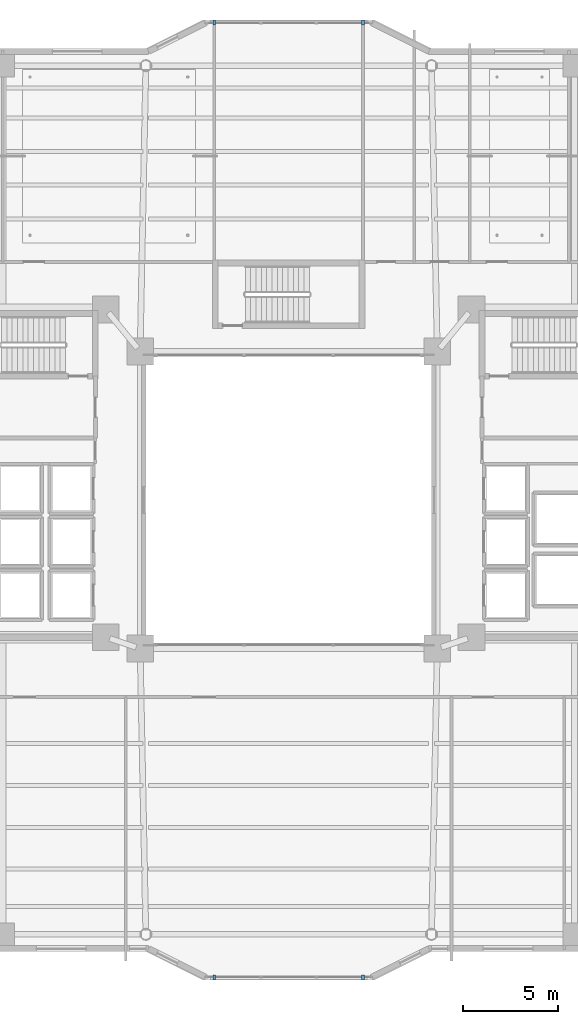
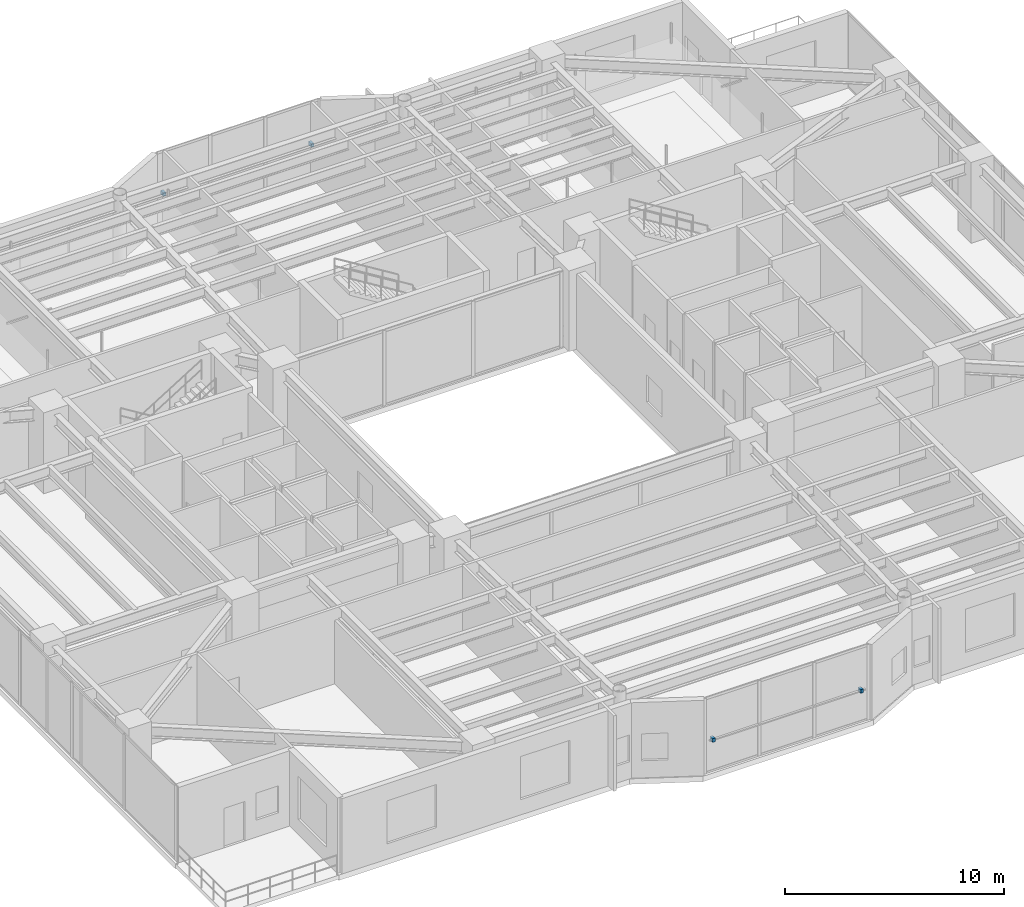
# One storey, part 36 of 39: 4 discrete accessories.
"""IFC4 building model written with IfcOpenShell, lengths in metres."""

from ifc_helpers import new_model, si_unit, direction, frame, origin, origin_2d, place, context, subcontext, project, spatial, rectangle, extrude, material, type_object, element, save


model = new_model("IFC4")

# Units and contexts
model_context = context("Model", 3, precision=1e-05, world=origin(), true_north=direction((0.0, 1.0)))
body_context = subcontext(model_context, "Body", "Model", "MODEL_VIEW")
ifc_project = project(units=[si_unit("LENGTHUNIT", "METRE"), si_unit("AREAUNIT", "SQUARE_METRE"), si_unit("VOLUMEUNIT", "CUBIC_METRE"), si_unit("PLANEANGLEUNIT", "RADIAN"), si_unit("MASSUNIT", "GRAM", prefix="KILO")], contexts=[model_context])

# Site, building, storey
site_placement = place(None, origin())
site = spatial("IfcSite", under=ifc_project, at=site_placement, CompositionType="ELEMENT")
building_placement = place(site_placement, origin())
building = spatial("IfcBuilding", under=site, at=building_placement, Name="Tarnavaz Court Tower", CompositionType="ELEMENT")
storey_placement = place(building_placement, frame((0.0, 0.0, 68.699951171875)))
storey = spatial("IfcBuildingStorey", under=building, at=storey_placement, Name="L18", CompositionType="ELEMENT", Elevation=68.699951171875)

# Discrete accessories
ifc_material = material(Name="Anodised Aluminium 6063-T6", Category="aluminium")
discrete_accessory_type = type_object("IfcDiscreteAccessoryType", Name="DA-BRKT-ALU", PredefinedType="BRACKET", material=ifc_material)
for number, where, z_axis, x_axis, name in (
    (1, (-3.89990234375, 25.070068359375, 1.7001953125), (0.0, 0.0, 1.0), (1.0, 0.0, 0.0), "L18 Baguette Outrigger Bracket PBG7-1"),
    (2, (3.89990234375, 25.070068359375, 1.7001953125), (0.0, 0.0, 1.0), (1.0, 0.0, 0.0), "L18 Baguette Outrigger Bracket PBG7-2"),
    (3, (3.89990234375, -25.070068359375, 1.7001953125), (0.0, 0.0, 1.0), (-1.0, 0.0, 0.0), "L18 Baguette Outrigger Bracket PBG17-1"),
    (4, (-3.89990234375, -25.070068359375, 1.7001953125), (0.0, 0.0, 1.0), (-1.0, 0.0, 0.0), "L18 Baguette Outrigger Bracket PBG17-2"),
):
    element("IfcDiscreteAccessory", number, at=place(storey_placement, frame(where, z_axis=z_axis, x_axis=x_axis)), inside=storey, type_object=discrete_accessory_type, Name=name, PredefinedType="BRACKET", context=body_context, shape_type="SweptSolid", body=[
        extrude(rectangle(XDim=0.139892578125, YDim=0.239990234375, at=origin_2d()), origin(), (0.0, 0.0, 1.0), 0.199951171875),
    ])

save(model, "model.ifc")
